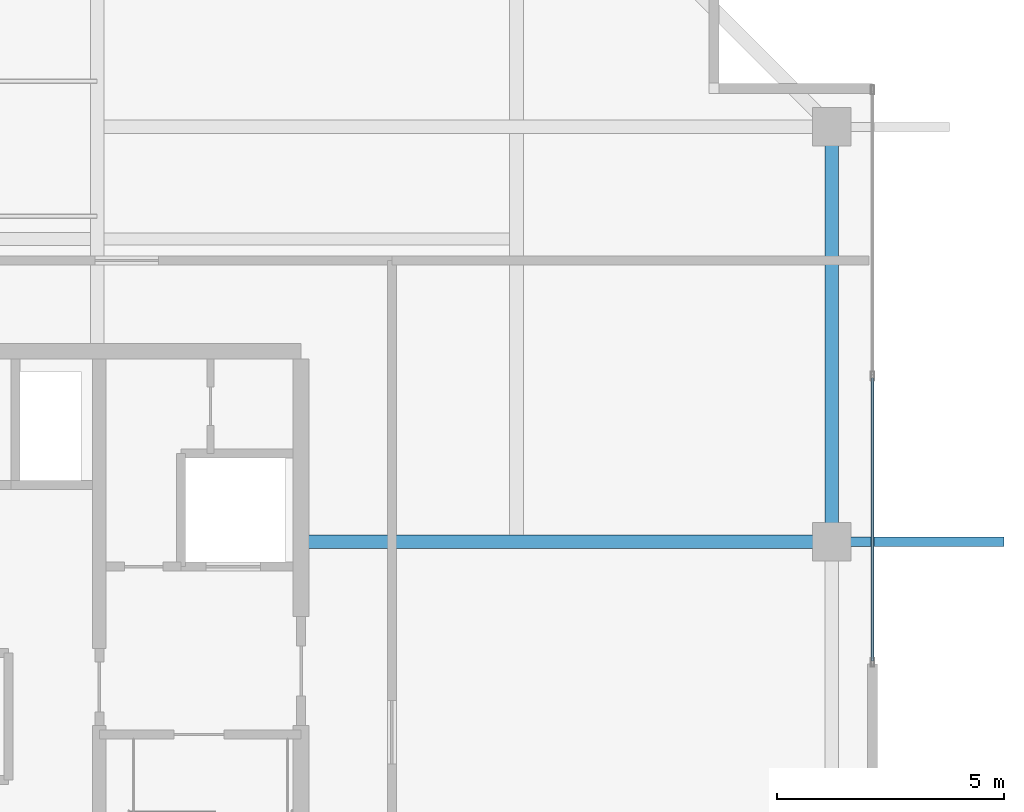
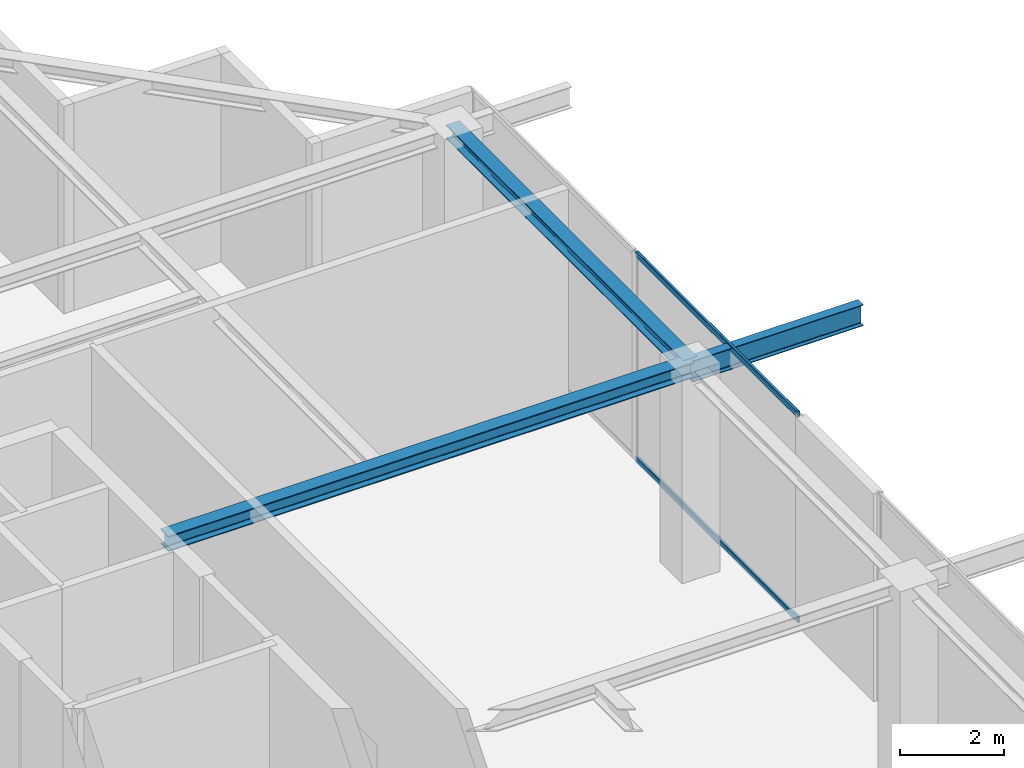
# One storey, part 15 of 27: 3 beams, 2 members, 1 element without a shape of its own.
"""IFC4 building model written with IfcOpenShell, lengths in metres."""

from ifc_helpers import new_model, si_unit, direction, frame, origin, origin_2d, place, context, subcontext, project, spatial, hollow_rectangle, i_section, extrude, source, transform, mapped, material, layer, layer_set, material_profile, profile_set, type_object, element, aggregate, save


model = new_model("IFC4")

# Units and contexts
model_context = context("Model", 3, precision=1e-05, world=origin(), true_north=direction((0.0, 1.0)))
body_context = subcontext(model_context, "Body", "Model", "MODEL_VIEW")
ifc_project = project(units=[si_unit("LENGTHUNIT", "METRE"), si_unit("AREAUNIT", "SQUARE_METRE"), si_unit("VOLUMEUNIT", "CUBIC_METRE"), si_unit("PLANEANGLEUNIT", "RADIAN"), si_unit("MASSUNIT", "GRAM", prefix="KILO")], contexts=[model_context])

# Site, building, storey
site_placement = place(None, origin())
site = spatial("IfcSite", under=ifc_project, at=site_placement, CompositionType="ELEMENT")
building_placement = place(site_placement, origin())
building = spatial("IfcBuilding", under=site, at=building_placement, Name="Serunith Strait Residences", CompositionType="ELEMENT")
storey_placement = place(building_placement, frame((0.0, 0.0, 365.75)))
storey = spatial("IfcBuildingStorey", under=building, at=storey_placement, Name="L89", CompositionType="ELEMENT", Elevation=365.75)

# Beams
ifc_material_1 = material(Name="Steel S355J2", Category="steel")
ifc_material_profile_1 = material_profile(ifc_material_1, i_section(OverallWidth=0.300048828125, OverallDepth=0.360107421875, WebThickness=0.012451171875, FlangeThickness=0.0224609375, FilletRadius=0.027099609375, at=origin_2d()), Name="HEB 360")
ifc_profile_set_1 = profile_set([ifc_material_profile_1], Name="Steel S355J2")
beam_type_1 = type_object("IfcBeamType", Name="BM-HEB360", PredefinedType="BEAM", material=ifc_profile_set_1)
shared_shape_1 = source(origin(), body_context, "Body", "SweptSolid", [
    extrude(i_section(OverallWidth=0.300048828125, OverallDepth=0.360107421875, WebThickness=0.012451171875, FlangeThickness=0.0224609375, FilletRadius=0.027099609375, at=origin_2d()), origin(), (0.0, 0.0, 1.0), 11.7001953125),
])
beam_1_placement = place(storey_placement, frame((41.39990234375, 29.39990234375, 4.717041015625), z_axis=(1.0, 0.0, 0.0), x_axis=(0.0, 1.0, 0.0)))
element("IfcBeam", 1, at=beam_1_placement, inside=storey, type_object=beam_type_1, Name="L89 Primary Floor Girder TC-E3", PredefinedType="BEAM", context=body_context, shape_type="MappedRepresentation", body=[
    mapped(shared_shape_1, transform((0.0, 0.0, 0.0), scale=1.0)),
])
ifc_material_profile_2 = material_profile(ifc_material_1, i_section(OverallWidth=0.300048828125, OverallDepth=0.320068359375, WebThickness=0.011474609375, FlangeThickness=0.0205078125, FilletRadius=0.027099609375, at=origin_2d()), Name="HEB 320")
ifc_profile_set_2 = profile_set([ifc_material_profile_2], Name="Steel S355J2")
beam_type_2 = type_object("IfcBeamType", Name="BM-HEB320", PredefinedType="BEAM", material=ifc_profile_set_2)
shared_shape_2 = source(origin(), body_context, "Body", "SweptSolid", [
    extrude(i_section(OverallWidth=0.300048828125, OverallDepth=0.320068359375, WebThickness=0.011474609375, FlangeThickness=0.0205078125, FilletRadius=0.027099609375, at=origin_2d()), origin(), (0.0, 0.0, 1.0), 9.150146484375),
])
beam_2_placement = place(storey_placement, frame((53.10009765625, 29.39990234375, 4.737060546875), z_axis=(0.0, 1.0, 0.0), x_axis=(-1.0, 0.0, 0.0)))
element("IfcBeam", 2, at=beam_2_placement, inside=storey, type_object=beam_type_2, Name="L89 Perimeter Ring Beam 07", PredefinedType="BEAM", context=body_context, shape_type="MappedRepresentation", body=[
    mapped(shared_shape_2, transform((0.0, 0.0, 0.0), scale=1.0)),
])
ifc_material_profile_3 = material_profile(ifc_material_1, i_section(OverallWidth=0.199951171875, OverallDepth=0.5, WebThickness=0.01025390625, FlangeThickness=0.01611328125, FilletRadius=0.02099609375, at=origin_2d()), Name="IPE 500")
ifc_profile_set_3 = profile_set([ifc_material_profile_3], Name="Steel S355J2")
beam_type_3 = type_object("IfcBeamType", Name="BM-IPE500", PredefinedType="JOIST", material=ifc_profile_set_3)
shared_shape_3 = source(origin(), body_context, "Body", "SweptSolid", [
    extrude(i_section(OverallWidth=0.199951171875, OverallDepth=0.5, WebThickness=0.01025390625, FlangeThickness=0.01611328125, FilletRadius=0.02099609375, at=origin_2d()), origin(), (0.0, 0.0, 1.0), 3.7998046875),
])
beam_3_placement = place(storey_placement, frame((53.10009765625, 29.39990234375, 4.64697265625), z_axis=(1.0, 0.0, 0.0), x_axis=(0.0, 1.0, 0.0)))
element("IfcBeam", 3, at=beam_3_placement, inside=storey, type_object=beam_type_3, Name="Crown Canopy Cantilever Rafter TC-E3", PredefinedType="JOIST", context=body_context, shape_type="MappedRepresentation", body=[
    mapped(shared_shape_3, transform((0.0, 0.0, 0.0), scale=1.0)),
])

# Curtain wall, members
ifc_material_2 = material(Name="Pale-Silver Anodised Aluminium", Category="aluminium")
ifc_layer = layer(ifc_material_2, 0.199951171875, Name="Pale-Silver Anodised Aluminium")
ifc_layer_set = layer_set([ifc_layer], Name="Pale-Silver Anodised Aluminium")
curtain_wall_type = type_object("IfcCurtainWallType", Name="CW-SYS7", PredefinedType="NOTDEFINED", material=ifc_layer_set)
curtain_wall_placement = place(storey_placement, origin())
curtain_wall = element("IfcCurtainWall", 4, at=curtain_wall_placement, inside=storey, type_object=curtain_wall_type, Name="L89 E Unitised Fritted Curtain Wall", PredefinedType="NOTDEFINED")
ifc_material_profile_4 = material_profile(ifc_material_2, hollow_rectangle(XDim=0.06005859375, YDim=0.139892578125, WallThickness=0.00341796875, InnerFilletRadius=0.00537109375, OuterFilletRadius=0.0087890625, at=origin_2d()), Name="ALU 140x60x3.5")
ifc_profile_set_4 = profile_set([ifc_material_profile_4], Name="Pale-Silver Anodised Aluminium")
member_type = type_object("IfcMemberType", Name="CW-SYS7-TRAN", PredefinedType="USERDEFINED", material=ifc_profile_set_4)
shared_shape_4 = source(origin(), body_context, "Body", "SweptSolid", [
    extrude(hollow_rectangle(XDim=0.06005859375, YDim=0.139892578125, WallThickness=0.00341796875, InnerFilletRadius=0.00537109375, OuterFilletRadius=0.0087890625, at=origin_2d()), origin(), (0.0, 0.0, 1.0), 6.241943359375),
])
member_1_placement = place(storey_placement, frame((54.0, 26.77197265625, 0.030029296875), z_axis=(0.0, 1.0, 0.0), x_axis=(-1.0, 0.0, 0.0)))
member_1 = element("IfcMember", 5, at=member_1_placement, type_object=member_type, Name="CW-7 transom 1.1", ObjectType="TRANSOM", PredefinedType="USERDEFINED", context=body_context, shape_type="MappedRepresentation", body=[
    mapped(shared_shape_4, transform((0.0, 0.0, 0.0), scale=1.0)),
])
member_2_placement = place(storey_placement, frame((54.0, 26.77197265625, 4.85498046875), z_axis=(0.0, 1.0, 0.0), x_axis=(-1.0, 0.0, 0.0)))
member_2 = element("IfcMember", 6, at=member_2_placement, type_object=member_type, Name="CW-7 transom 1.2", ObjectType="TRANSOM", PredefinedType="USERDEFINED", context=body_context, shape_type="MappedRepresentation", body=[
    mapped(shared_shape_4, transform((0.0, 0.0, 0.0), scale=1.0)),
])
aggregate(curtain_wall, [member_1, member_2])

save(model, "model.ifc")
